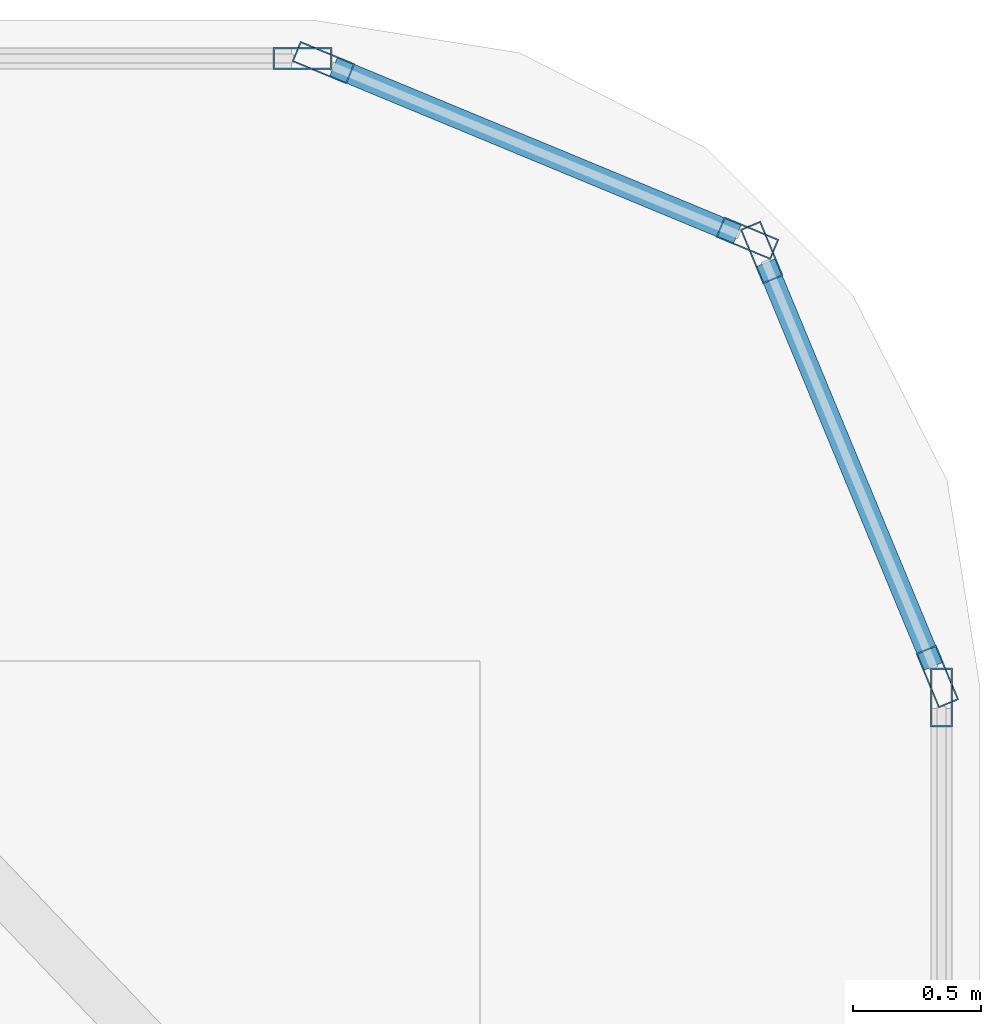
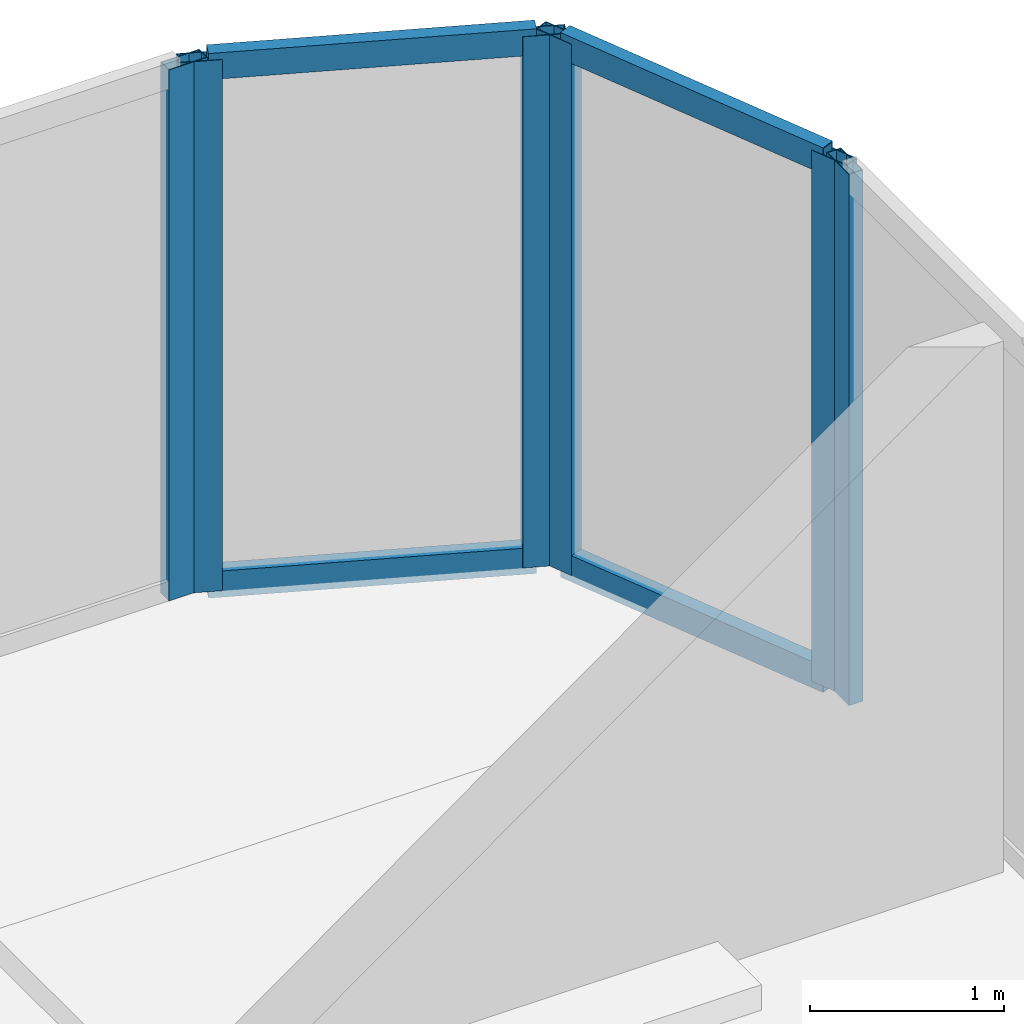
# One storey, part 8 of 11: 10 members, 4 elements without a shape of their own.
"""IFC4 building model written with IfcOpenShell, lengths in metres."""

from ifc_helpers import new_model, si_unit, direction, frame, origin, origin_2d, place, context, subcontext, project, spatial, hollow_rectangle, extrude, source, transform, mapped, material, layer, layer_set, material_profile, profile_set, type_object, element, aggregate, save


model = new_model("IFC4")

# Units and contexts
model_context = context("Model", 3, precision=1e-05, world=origin(), true_north=direction((0.0, 1.0)))
body_context = subcontext(model_context, "Body", "Model", "MODEL_VIEW")
ifc_project = project(units=[si_unit("LENGTHUNIT", "METRE"), si_unit("AREAUNIT", "SQUARE_METRE"), si_unit("VOLUMEUNIT", "CUBIC_METRE"), si_unit("PLANEANGLEUNIT", "RADIAN"), si_unit("MASSUNIT", "GRAM", prefix="KILO")], contexts=[model_context])

# Site, building, storey
site_placement = place(None, origin())
site = spatial("IfcSite", under=ifc_project, at=site_placement, CompositionType="ELEMENT")
building_placement = place(site_placement, origin())
building = spatial("IfcBuilding", under=site, at=building_placement, Name="Kolveth Station Tower", CompositionType="ELEMENT")
storey_placement = place(building_placement, frame((0.0, 0.0, 292.89990234375)))
storey = spatial("IfcBuildingStorey", under=building, at=storey_placement, Name="L84", CompositionType="ELEMENT", Elevation=292.89990234375)

# Curtain wall, members
ifc_material_1 = material(Name="Black anodized aluminium 6063-T6 and dark crown glass", Category="aluminium")
ifc_layer = layer(ifc_material_1, 0.169921875)
ifc_layer_set = layer_set([ifc_layer], Name="Black anodized aluminium 6063-T6 and dark crown glass")
curtain_wall_type = type_object("IfcCurtainWallType", Name="CurtainWall_CW-CR", PredefinedType="NOTDEFINED", material=ifc_layer_set)
curtain_wall_1_placement = place(storey_placement, origin())
curtain_wall_1 = element("IfcCurtainWall", 1, at=curtain_wall_1_placement, inside=storey, type_object=curtain_wall_type, Name="L84 Stepped Crown Curtain Wall 4", PredefinedType="NOTDEFINED")
ifc_material_2 = material(Name="Black anodized aluminium 6063-T6", Category="aluminium")
ifc_material_profile_1 = material_profile(ifc_material_2, hollow_rectangle(XDim=0.080078125, YDim=0.1650390625, WallThickness=0.0048828125, at=origin_2d()), Name="ALU-80x165x5")
ifc_profile_set_1 = profile_set([ifc_material_profile_1], Name="Black anodized aluminium 6063-T6")
member_type_1 = type_object("IfcMemberType", Name="Transom_TR-CR", PredefinedType="USERDEFINED", material=ifc_profile_set_1)
shared_shape_1 = source(origin(), body_context, "Body", "SweptSolid", [
    extrude(hollow_rectangle(XDim=0.080078125, YDim=0.1650390625, WallThickness=0.0048828125, at=origin_2d()), origin(), (0.0, 0.0, 1.0), 1.705078125),
])
member_1_placement = place(storey_placement, frame((34.617431640625, 32.778564453125, 0.0400390625), z_axis=(-0.38274381958, 0.923854516996, 0.0), x_axis=(-0.923854516996, -0.38274381958, 0.0)))
member_1 = element("IfcMember", 2, at=member_1_placement, type_object=member_type_1, Name="CW-CR transom 1.1", ObjectType="TRANSOM", PredefinedType="USERDEFINED", context=body_context, shape_type="MappedRepresentation", body=[
    mapped(shared_shape_1, transform((0.0, 0.0, 0.0), x_axis=(1.0, 0.0, 0.0), y_axis=(0.0, 1.0, 0.0), z_axis=(0.0, 0.0, 1.0), scale=1.0)),
])
member_2_placement = place(storey_placement, frame((34.617431640625, 32.778564453125, 3.300048828125), z_axis=(-0.38274381958, 0.923854516996, 0.0), x_axis=(-0.923854516996, -0.38274381958, 0.0)))
member_2 = element("IfcMember", 3, at=member_2_placement, type_object=member_type_1, Name="CW-CR transom 1.2", ObjectType="TRANSOM", PredefinedType="USERDEFINED", context=body_context, shape_type="MappedRepresentation", body=[
    mapped(shared_shape_1, transform((0.0, 0.0, 0.0), x_axis=(1.0, 0.0, 0.0), y_axis=(0.0, 1.0, 0.0), z_axis=(0.0, 0.0, 1.0), scale=1.0)),
])

curtain_wall_2_placement = place(storey_placement, origin())
curtain_wall_2 = element("IfcCurtainWall", 4, at=curtain_wall_2_placement, inside=storey, type_object=curtain_wall_type, Name="L84 Stepped Crown Curtain Wall 5", PredefinedType="NOTDEFINED")
member_3_placement = place(storey_placement, frame((33.853759765625, 34.46484375, 0.0400390625), z_axis=(-0.923854516996, 0.38274381958, 0.0), x_axis=(-0.38274381958, -0.923854516996, 0.0)))
member_3 = element("IfcMember", 5, at=member_3_placement, type_object=member_type_1, Name="CW-CR transom 1.1", ObjectType="TRANSOM", PredefinedType="USERDEFINED", context=body_context, shape_type="MappedRepresentation", body=[
    mapped(shared_shape_1, transform((0.0, 0.0, 0.0), x_axis=(1.0, 0.0, 0.0), y_axis=(0.0, 1.0, 0.0), z_axis=(0.0, 0.0, 1.0), scale=1.0)),
])
member_4_placement = place(storey_placement, frame((33.853759765625, 34.46484375, 3.300048828125), z_axis=(-0.923854516996, 0.38274381958, 0.0), x_axis=(-0.38274381958, -0.923854516996, 0.0)))
member_4 = element("IfcMember", 6, at=member_4_placement, type_object=member_type_1, Name="CW-CR transom 1.2", ObjectType="TRANSOM", PredefinedType="USERDEFINED", context=body_context, shape_type="MappedRepresentation", body=[
    mapped(shared_shape_1, transform((0.0, 0.0, 0.0), x_axis=(1.0, 0.0, 0.0), y_axis=(0.0, 1.0, 0.0), z_axis=(0.0, 0.0, 1.0), scale=1.0)),
])

# Curtain wall, member
curtain_wall_3_placement = place(storey_placement, origin())
curtain_wall_3 = element("IfcCurtainWall", 7, at=curtain_wall_3_placement, inside=storey, type_object=curtain_wall_type, Name="L84 Stepped Crown Curtain Wall 3", PredefinedType="NOTDEFINED")
ifc_material_profile_2 = material_profile(ifc_material_2, hollow_rectangle(XDim=0.0849609375, YDim=0.22998046875, WallThickness=0.0048828125, at=origin_2d()), Name="ALU-85x230x5")
ifc_profile_set_2 = profile_set([ifc_material_profile_2], Name="Black anodized aluminium 6063-T6")
member_type_2 = type_object("IfcMemberType", Name="Mullion_ML-CR", PredefinedType="MULLION", material=ifc_profile_set_2)
shared_shape_2 = source(origin(), body_context, "Body", "SweptSolid", [
    extrude(hollow_rectangle(XDim=0.0849609375, YDim=0.22998046875, WallThickness=0.0048828125, at=origin_2d()), origin(), (0.0, 0.0, 1.0), 3.340087890625),
])
member_5_placement = place(storey_placement, frame((34.64990234375, 32.657470703125, 0.0), z_axis=(0.0, 0.0, 1.0), x_axis=(-1.0, 0.0, 0.0)))
member_5 = element("IfcMember", 8, at=member_5_placement, type_object=member_type_2, Name="CW-CR mullion 2", PredefinedType="MULLION", context=body_context, shape_type="MappedRepresentation", body=[
    mapped(shared_shape_2, transform((0.0, 0.0, 0.0), x_axis=(1.0, 0.0, 0.0), y_axis=(0.0, 1.0, 0.0), z_axis=(0.0, 0.0, 1.0), scale=1.0)),
])
aggregate(curtain_wall_3, [member_5])

# Member
member_6_placement = place(storey_placement, frame((34.6337890625, 32.7392578125, 0.0), z_axis=(0.0, 0.0, 1.0), x_axis=(-0.923876435676, -0.382690908701, 0.0)))
member_6 = element("IfcMember", 9, at=member_6_placement, type_object=member_type_2, Name="CW-CR mullion 1", PredefinedType="MULLION", context=body_context, shape_type="MappedRepresentation", body=[
    mapped(shared_shape_2, transform((0.0, 0.0, 0.0), x_axis=(1.0, 0.0, 0.0), y_axis=(0.0, 1.0, 0.0), z_axis=(0.0, 0.0, 1.0), scale=1.0)),
])

member_7_placement = place(storey_placement, frame((33.94873046875, 34.39306640625, 0.0), z_axis=(0.0, 0.0, 1.0), x_axis=(-0.923876435676, -0.382690908701, 0.0)))
member_7 = element("IfcMember", 10, at=member_7_placement, type_object=member_type_2, Name="CW-CR mullion 2", PredefinedType="MULLION", context=body_context, shape_type="MappedRepresentation", body=[
    mapped(shared_shape_2, transform((0.0, 0.0, 0.0), x_axis=(1.0, 0.0, 0.0), y_axis=(0.0, 1.0, 0.0), z_axis=(0.0, 0.0, 1.0), scale=1.0)),
])

aggregate(curtain_wall_1, [member_6, member_7, member_1, member_2])

member_8_placement = place(storey_placement, frame((33.89306640625, 34.44873046875, 0.0), z_axis=(0.0, 0.0, 1.0), x_axis=(-0.382690908701, -0.923876435676, 0.0)))
member_8 = element("IfcMember", 11, at=member_8_placement, type_object=member_type_2, Name="CW-CR mullion 1", PredefinedType="MULLION", context=body_context, shape_type="MappedRepresentation", body=[
    mapped(shared_shape_2, transform((0.0, 0.0, 0.0), x_axis=(1.0, 0.0, 0.0), y_axis=(0.0, 1.0, 0.0), z_axis=(0.0, 0.0, 1.0), scale=1.0)),
])

member_9_placement = place(storey_placement, frame((32.2392578125, 35.1337890625, 0.0), z_axis=(0.0, 0.0, 1.0), x_axis=(-0.382690908701, -0.923876435676, 0.0)))
member_9 = element("IfcMember", 12, at=member_9_placement, type_object=member_type_2, Name="CW-CR mullion 2", PredefinedType="MULLION", context=body_context, shape_type="MappedRepresentation", body=[
    mapped(shared_shape_2, transform((0.0, 0.0, 0.0), x_axis=(1.0, 0.0, 0.0), y_axis=(0.0, 1.0, 0.0), z_axis=(0.0, 0.0, 1.0), scale=1.0)),
])

aggregate(curtain_wall_2, [member_8, member_9, member_3, member_4])

# Curtain wall, member
curtain_wall_4_placement = place(storey_placement, origin())
curtain_wall_4 = element("IfcCurtainWall", 13, at=curtain_wall_4_placement, inside=storey, type_object=curtain_wall_type, Name="L84 Stepped Crown Curtain Wall 6", PredefinedType="NOTDEFINED")
member_10_placement = place(storey_placement, frame((32.157470703125, 35.14990234375, 0.0), z_axis=(0.0, 0.0, 1.0), x_axis=(0.0, -1.0, 0.0)))
member_10 = element("IfcMember", 14, at=member_10_placement, type_object=member_type_2, Name="CW-CR mullion 1", PredefinedType="MULLION", context=body_context, shape_type="MappedRepresentation", body=[
    mapped(shared_shape_2, transform((0.0, 0.0, 0.0), x_axis=(1.0, 0.0, 0.0), y_axis=(0.0, 1.0, 0.0), z_axis=(0.0, 0.0, 1.0), scale=1.0)),
])
aggregate(curtain_wall_4, [member_10])

save(model, "model.ifc")
